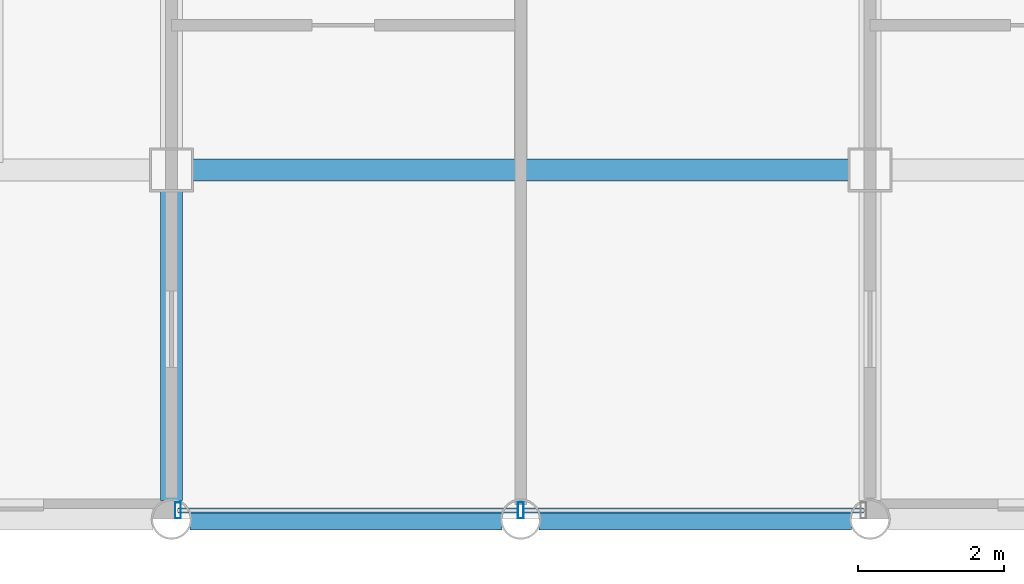
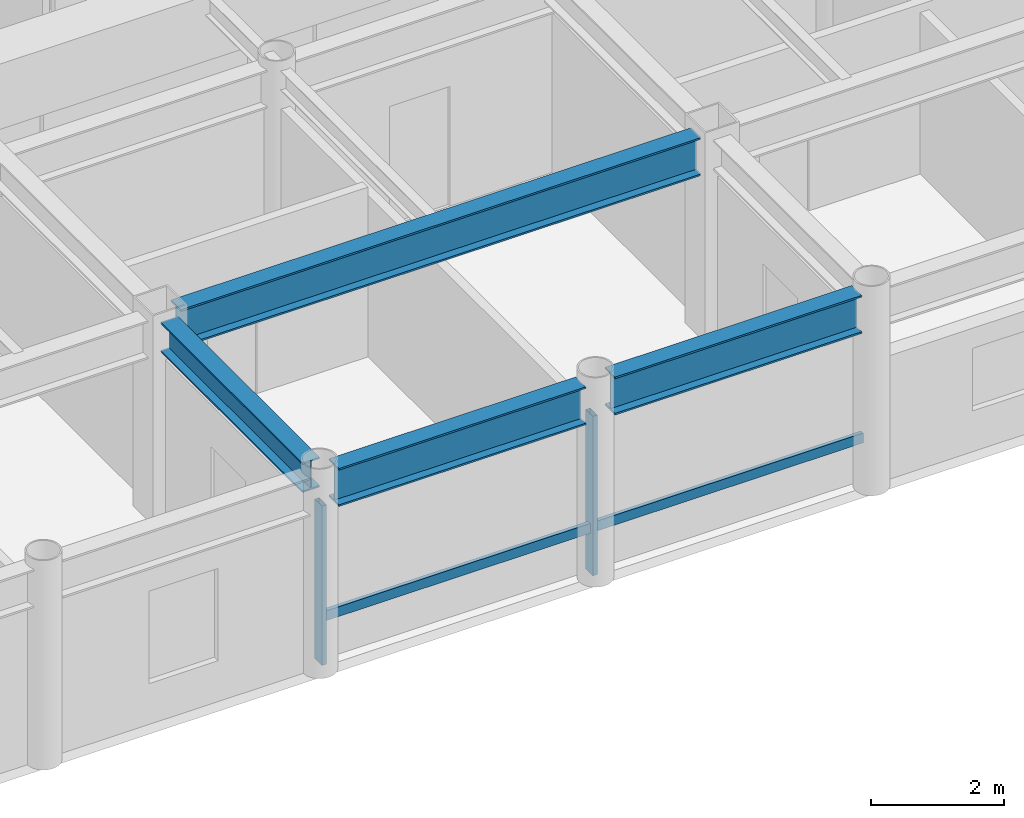
# One storey, part 4 of 24: 4 beams, 4 members, 1 element without a shape of its own.
"""IFC4 building model written with IfcOpenShell, lengths in metres."""

from ifc_helpers import new_model, si_unit, direction, frame, origin, origin_2d, place, context, subcontext, project, spatial, hollow_rectangle, i_section, extrude, material, layer, layer_set, material_profile, profile_set, type_object, element, aggregate, save


model = new_model("IFC4")

# Units and contexts
model_context = context("Model", 3, precision=1e-05, world=origin(), true_north=direction((0.0, 1.0)))
body_context = subcontext(model_context, "Body", "Model", "MODEL_VIEW")
ifc_project = project(units=[si_unit("LENGTHUNIT", "METRE"), si_unit("AREAUNIT", "SQUARE_METRE"), si_unit("VOLUMEUNIT", "CUBIC_METRE"), si_unit("PLANEANGLEUNIT", "RADIAN"), si_unit("MASSUNIT", "GRAM", prefix="KILO")], contexts=[model_context])

# Site, building, storey
site_placement = place(None, origin())
site = spatial("IfcSite", under=ifc_project, at=site_placement, CompositionType="ELEMENT")
building_placement = place(site_placement, origin())
building = spatial("IfcBuilding", under=site, at=building_placement, Name="Kallvorn Hotel Tower", CompositionType="ELEMENT")
storey_placement = place(building_placement, frame((0.0, 0.0, 233.85009765625)))
storey = spatial("IfcBuildingStorey", under=building, at=storey_placement, Name="L58", CompositionType="ELEMENT", Elevation=233.85009765625)

# Beams
ifc_material_1 = material(Name="Structural steel S355JR", Category="steel")
ifc_material_profile_1 = material_profile(ifc_material_1, i_section(OverallWidth=0.300048828125, OverallDepth=0.550048828125, WebThickness=0.014892578125, FlangeThickness=0.029052734375, at=origin_2d()), Name="HE 550 B")
ifc_profile_set_1 = profile_set([ifc_material_profile_1], Name="Structural steel S355JR")
beam_type_1 = type_object("IfcBeamType", Name="BM_HE550B", PredefinedType="SPANDREL", material=ifc_profile_set_1)
beam_1_placement = place(storey_placement, frame((-4.800048828125, -18.945556640625, 3.39501953125), z_axis=(0.0, 1.0, 0.0), x_axis=(-1.0, 0.0, 0.0)))
element("IfcBeam", 1, at=beam_1_placement, inside=storey, type_object=beam_type_1, Name="L59 Primary Y-Girder 105", PredefinedType="SPANDREL", context=body_context, shape_type="SweptSolid", body=[
    extrude(i_section(OverallWidth=0.300048828125, OverallDepth=0.550048828125, WebThickness=0.014892578125, FlangeThickness=0.029052734375, at=origin_2d()), origin(), (0.0, 0.0, 1.0), 4.2705078125),
])
ifc_material_2 = material(Name="Structural steel S355JR", Category="steel")
ifc_material_profile_2 = material_profile(ifc_material_2, i_section(OverallWidth=0.300048828125, OverallDepth=0.699951171875, WebThickness=0.01708984375, FlangeThickness=0.031982421875, at=origin_2d()), Name="HE 700 B")
ifc_profile_set_2 = profile_set([ifc_material_profile_2], Name="Structural steel S355JR")
beam_type_2 = type_object("IfcBeamType", Name="BM_HE700B", PredefinedType="BEAM", material=ifc_profile_set_2)
for number, where, z_axis, x_axis, name in (
    (2, (-4.54541015625, -19.199951171875, 3.31982421875), (1.0, 0.0, 0.0), (0.0, 1.0, 0.0), "L59 Primary X-Girder 06"),
    (3, (0.25439453125, -19.199951171875, 3.31982421875), (1.0, 0.0, 0.0), (0.0, 1.0, 0.0), "L59 Primary X-Girder 07"),
):
    element("IfcBeam", number, at=place(storey_placement, frame(where, z_axis=z_axis, x_axis=x_axis)), inside=storey, type_object=beam_type_2, Name=name, PredefinedType="BEAM", context=body_context, shape_type="SweptSolid", body=[
        extrude(i_section(OverallWidth=0.300048828125, OverallDepth=0.699951171875, WebThickness=0.01708984375, FlangeThickness=0.031982421875, at=origin_2d()), origin(), (0.0, 0.0, 1.0), 4.291015625),
    ])
beam_2_placement = place(storey_placement, frame((-4.52490234375, -14.39990234375, 3.31982421875), z_axis=(1.0, 0.0, 0.0), x_axis=(0.0, 1.0, 0.0)))
element("IfcBeam", 4, at=beam_2_placement, inside=storey, type_object=beam_type_2, Name="L59 Primary X-Girder 17", PredefinedType="BEAM", context=body_context, shape_type="SweptSolid", body=[
    extrude(i_section(OverallWidth=0.300048828125, OverallDepth=0.699951171875, WebThickness=0.01708984375, FlangeThickness=0.031982421875, at=origin_2d()), origin(), (0.0, 0.0, 1.0), 9.0498046875),
])

# Curtain wall, members
ifc_material_3 = material(Name="Thermally broken black-anodised aluminium AA 6063-T6", Category="aluminium")
ifc_layer = layer(ifc_material_3, 0.22998046875)
ifc_layer_set = layer_set([ifc_layer], Name="CW_SYS_5_HOTEL_HIGH")
curtain_wall_type = type_object("IfcCurtainWallType", Name="CW_SYS_5_HOTEL_HIGH", PredefinedType="USERDEFINED", material=ifc_layer_set)
curtain_wall_placement = place(storey_placement, origin())
curtain_wall = element("IfcCurtainWall", 5, at=curtain_wall_placement, inside=storey, type_object=curtain_wall_type, Name="L58 Dark-Glass Curtain Wall CW-L58-SC", ObjectType="UNITISED CURTAIN WALL", PredefinedType="USERDEFINED")
ifc_material_4 = material(Name="Thermally broken black-anodised aluminium AA 6063-T6", Category="aluminium")
ifc_material_profile_3 = material_profile(ifc_material_4, hollow_rectangle(XDim=0.080078125, YDim=0.219970703125, WallThickness=0.0048828125, at=origin_2d()), Name="MUL 220x80")
ifc_profile_set_3 = profile_set([ifc_material_profile_3], Name="Thermally broken black-anodised aluminium AA 6063-T6")
member_type_1 = type_object("IfcMemberType", Name="CW_MULLION_220x80", PredefinedType="MULLION", material=ifc_profile_set_3)
member_1_placement = place(storey_placement, frame((-4.7099609375, -19.080078125, 0.02001953125), z_axis=(0.0, 0.0, 1.0), x_axis=(1.0, 0.0, 0.0)))
member_1 = element("IfcMember", 6, at=member_1_placement, type_object=member_type_1, Name="CW-L58-SC Mullion 00", PredefinedType="MULLION", context=body_context, shape_type="SweptSolid", body=[
    extrude(hollow_rectangle(XDim=0.080078125, YDim=0.219970703125, WallThickness=0.0048828125, at=origin_2d()), origin(), (0.0, 0.0, 1.0), 2.929931640625),
])
member_2_placement = place(storey_placement, frame((0.0, -19.080078125, 0.02001953125), z_axis=(0.0, 0.0, 1.0), x_axis=(1.0, 0.0, 0.0)))
member_2 = element("IfcMember", 7, at=member_2_placement, type_object=member_type_1, Name="CW-L58-SC Mullion 01", PredefinedType="MULLION", context=body_context, shape_type="SweptSolid", body=[
    extrude(hollow_rectangle(XDim=0.080078125, YDim=0.219970703125, WallThickness=0.0048828125, at=origin_2d()), origin(), (0.0, 0.0, 1.0), 2.929931640625),
])
ifc_material_5 = material(Name="Thermally broken black-anodised aluminium AA 6063-T6", Category="aluminium")
ifc_material_profile_4 = material_profile(ifc_material_5, hollow_rectangle(XDim=0.070068359375, YDim=0.179931640625, WallThickness=0.00390625, at=origin_2d()), Name="TRN 180x70")
ifc_profile_set_4 = profile_set([ifc_material_profile_4], Name="Thermally broken black-anodised aluminium AA 6063-T6")
member_type_2 = type_object("IfcMemberType", Name="CW_TRANSOM_180x70", PredefinedType="USERDEFINED", material=ifc_profile_set_4)
member_3_placement = place(storey_placement, frame((-4.7099609375, -19.080078125, 0.849853515625), z_axis=(1.0, 0.0, 0.0), x_axis=(0.0, 1.0, 0.0)))
member_3 = element("IfcMember", 8, at=member_3_placement, type_object=member_type_2, Name="CW-L58-SC Transom 00M", ObjectType="TRANSOM", PredefinedType="USERDEFINED", context=body_context, shape_type="SweptSolid", body=[
    extrude(hollow_rectangle(XDim=0.070068359375, YDim=0.179931640625, WallThickness=0.00390625, at=origin_2d()), origin(), (0.0, 0.0, 1.0), 4.669921875),
])
member_4_placement = place(storey_placement, frame((0.0400390625, -19.080078125, 0.849853515625), z_axis=(1.0, 0.0, 0.0), x_axis=(0.0, 1.0, 0.0)))
member_4 = element("IfcMember", 9, at=member_4_placement, type_object=member_type_2, Name="CW-L58-SC Transom 01M", ObjectType="TRANSOM", PredefinedType="USERDEFINED", context=body_context, shape_type="SweptSolid", body=[
    extrude(hollow_rectangle(XDim=0.070068359375, YDim=0.179931640625, WallThickness=0.00390625, at=origin_2d()), origin(), (0.0, 0.0, 1.0), 4.669921875),
])
aggregate(curtain_wall, [member_1, member_2, member_3, member_4])

save(model, "model.ifc")
